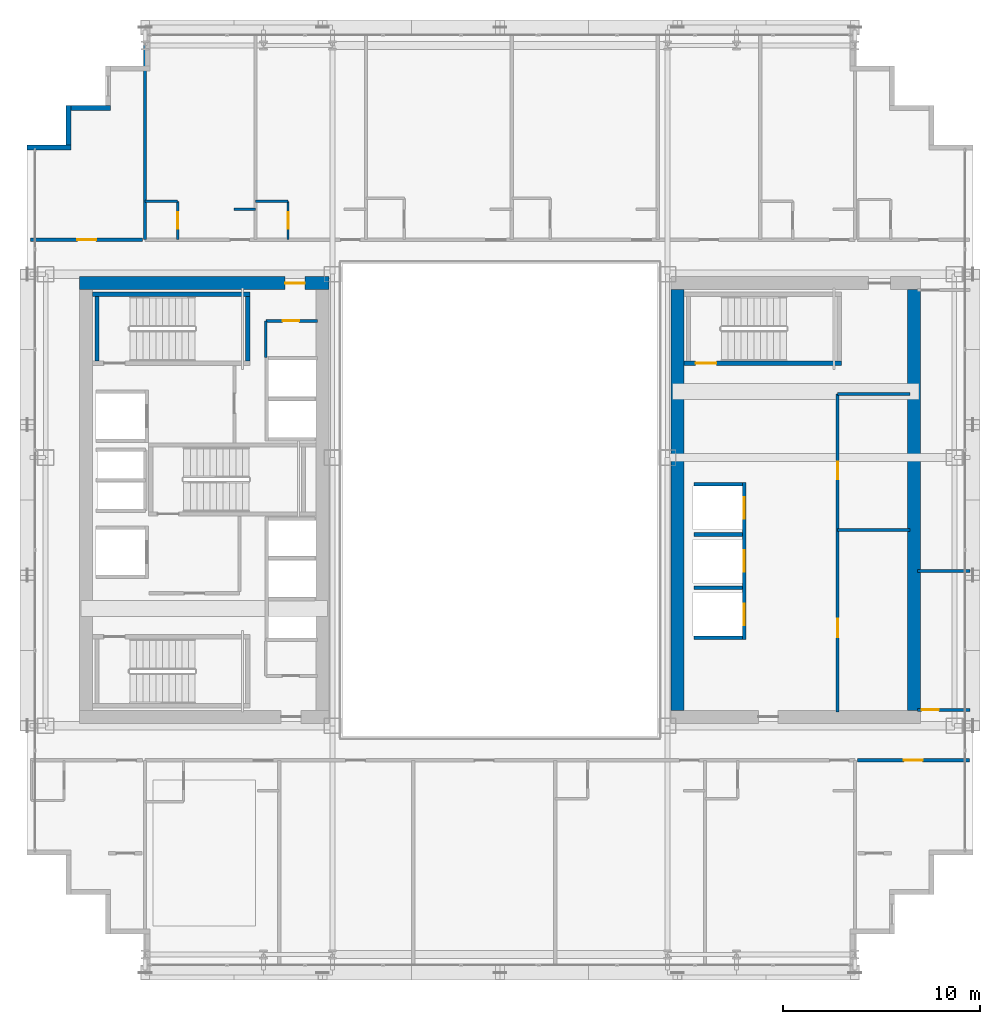
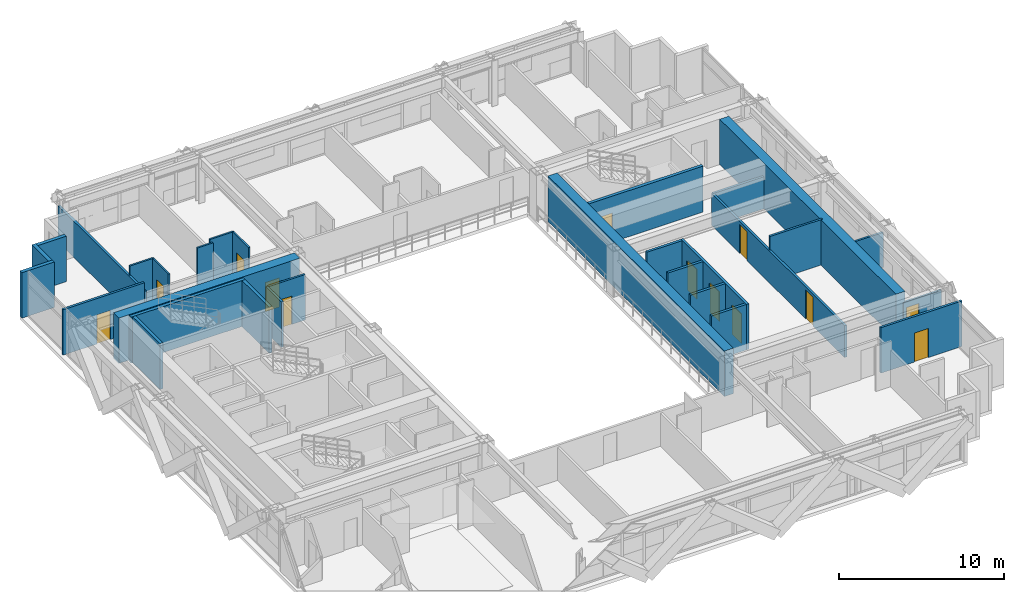
# One storey, part 29 of 35: 30 walls, 13 doors, 13 openings.
"""IFC4 building model written with IfcOpenShell, lengths in metres."""

from ifc_helpers import new_model, si_unit, direction, frame, frame_2d, origin, place, context, subcontext, project, spatial, rectangle, extrude, source, transform, mapped, material, layer, layer_set, type_object, element, fill, save


model = new_model("IFC4")

# Units and contexts
model_context = context("Model", 3, precision=1e-05, world=origin(), true_north=direction((0.0, 1.0)))
body_context = subcontext(model_context, "Body", "Model", "MODEL_VIEW")
ifc_project = project(units=[si_unit("LENGTHUNIT", "METRE"), si_unit("AREAUNIT", "SQUARE_METRE"), si_unit("VOLUMEUNIT", "CUBIC_METRE"), si_unit("PLANEANGLEUNIT", "RADIAN"), si_unit("MASSUNIT", "GRAM", prefix="KILO")], contexts=[model_context])

# Site, building, storey
site_placement = place(None, origin())
site = spatial("IfcSite", under=ifc_project, at=site_placement, CompositionType="ELEMENT")
building_placement = place(site_placement, origin())
building = spatial("IfcBuilding", under=site, at=building_placement, Name="Ocotamira Hotel", CompositionType="ELEMENT")
storey_placement = place(building_placement, frame((0.0, 0.0, 144.0)))
storey = spatial("IfcBuildingStorey", under=building, at=storey_placement, Name="L36", CompositionType="ELEMENT", Elevation=144.0)

# Wall, opening, door
ifc_material_1 = material(Name="Concrete C60/75", Category="concrete")
ifc_layer_1 = layer(ifc_material_1, 0.64990234375)
ifc_layer_set_1 = layer_set([ifc_layer_1], Name="Concrete C60/75")
wall_type_1 = type_object("IfcWallType", Name="WL-CORE-650", PredefinedType="SHEAR", material=ifc_layer_set_1)
wall_1_placement = place(storey_placement, frame((10.675048828125, 37.0, 0.0), z_axis=(0.0, 0.0, 1.0), x_axis=(1.0, 0.0, 0.0)))
wall_1 = element("IfcWall", 1, at=wall_1_placement, inside=storey, type_object=wall_type_1, Name="L36 Shear Core Wall WCORE-N", PredefinedType="SHEAR", context=body_context, shape_type="SweptSolid", body=[
    extrude(rectangle(XDim=12.64990234375, YDim=0.64990234375, at=frame_2d((6.324951171875, 0.0))), origin(), (0.0, 0.0, 1.0), 3.360107421875),
])
opening_1_placement = place(wall_1_placement, frame((10.425048828125, 0.0, 0.0)))
opening_1 = element("IfcOpeningElement", 2, at=opening_1_placement, cuts=wall_1, Name="Opening D-FR2", PredefinedType="OPENING", context=body_context, shape_type="SweptSolid", body=[
    extrude(rectangle(XDim=1.0, YDim=2.14990234375, at=frame_2d((0.5, 1.074951171875))), frame((0.0, 0.3349609375, 0.0), z_axis=(0.0, -1.0, 0.0), x_axis=(1.0, 0.0, 0.0)), (0.0, 0.0, 1.0), 0.669921875),
])
ifc_material_2 = material(Name="Fire-rated acoustic timber-veneer door", Category="wood")
door_type_1 = type_object("IfcDoorType", Name="DR-FIRE-1000", OperationType="NOTDEFINED", PredefinedType="DOOR", material=ifc_material_2)
shared_shape_1 = source(origin(), body_context, "Body", "SweptSolid", [
    extrude(rectangle(XDim=1.0, YDim=2.14990234375, at=frame_2d((0.5, 1.074951171875))), frame((0.0, 0.02490234375, 0.0), z_axis=(0.0, -1.0, 0.0), x_axis=(1.0, 0.0, 0.0)), (0.0, 0.0, 1.0), 0.050048828125),
])
door_1_placement = place(opening_1_placement, origin())
door_1 = element("IfcDoor", 3, at=door_1_placement, inside=storey, type_object=door_type_1, Name="L36 Door ID-L36-WLOB-N-D [ID-L36-WLOB-N-D]", OperationType="SINGLE_SWING_RIGHT", OverallHeight=2.14990234375, OverallWidth=1.0, PredefinedType="DOOR", context=body_context, shape_type="MappedRepresentation", body=[
    mapped(shared_shape_1, transform((0.0, 0.0, 0.0), scale=1.0)),
])
fill(opening_1, door_1)

# Walls
for number, where, z_axis, x_axis, name in (
    (4, (41.0, 15.324951171875, 0.0), (0.0, 0.0, 1.0), (0.0, 1.0, 0.0), "L36 Shear Core Wall ECORE-W"),
    (5, (53.0, 15.324951171875, 0.0), (0.0, 0.0, 1.0), (0.0, 1.0, 0.0), "L36 Shear Core Wall ECORE-E"),
):
    element("IfcWall", number, at=place(storey_placement, frame(where, z_axis=z_axis, x_axis=x_axis)), inside=storey, type_object=wall_type_1, Name=name, PredefinedType="SHEAR", context=body_context, shape_type="SweptSolid", body=[
        extrude(rectangle(XDim=21.35009765625, YDim=0.64990234375, at=frame_2d((10.675048828125, 0.0))), origin(), (0.0, 0.0, 1.0), 3.360107421875),
    ])
ifc_material_3 = material(Name="Precast concrete C45/55", Category="concrete")
ifc_layer_2 = layer(ifc_material_3, 0.25)
ifc_layer_set_2 = layer_set([ifc_layer_2], Name="Precast concrete C45/55")
wall_type_2 = type_object("IfcWallType", Name="WL-EXT-SER-250", PredefinedType="SOLIDWALL", material=ifc_layer_set_2)
for number, where, z_axis, x_axis, name in (
    (6, (12.25, 45.875, 0.0), (0.0, 0.0, 1.0), (-1.0, 0.0, 0.0), "L36 Serrated Corner Wall 16"),
    (7, (10.125, 46.0, 0.0), (0.0, 0.0, 1.0), (0.0, -1.0, 0.0), "L36 Serrated Corner Wall 17"),
):
    element("IfcWall", number, at=place(storey_placement, frame(where, z_axis=z_axis, x_axis=x_axis)), inside=storey, type_object=wall_type_2, Name=name, PredefinedType="SOLIDWALL", context=body_context, shape_type="SweptSolid", body=[
        extrude(rectangle(XDim=2.0, YDim=0.25, at=frame_2d((1.0, 0.0))), origin(), (0.0, 0.0, 1.0), 3.360107421875),
    ])
wall_2_placement = place(storey_placement, frame((10.25, 43.875, 0.0), z_axis=(0.0, 0.0, 1.0), x_axis=(-1.0, 0.0, 0.0)))
element("IfcWall", 8, at=wall_2_placement, inside=storey, type_object=wall_type_2, Name="L36 Serrated Corner Wall 18", PredefinedType="SOLIDWALL", context=body_context, shape_type="SweptSolid", body=[
    extrude(rectangle(XDim=2.25, YDim=0.25, at=frame_2d((1.125, 0.0))), origin(), (0.0, 0.0, 1.0), 3.360107421875),
])
ifc_material_4 = material(Name="Acoustic double-layer fire gypsum board partition", Category="gypsum")
ifc_layer_3 = layer(ifc_material_4, 0.159912109375)
ifc_layer_set_3 = layer_set([ifc_layer_3], Name="Acoustic double-layer fire gypsum board partition")
wall_type_3 = type_object("IfcWallType", Name="WL-FIRE-160", PredefinedType="PARTITIONING", material=ifc_layer_set_3)
wall_3_placement = place(storey_placement, frame((49.1201171875, 31.3798828125, 0.0), z_axis=(0.0, 0.0, 1.0), x_axis=(1.0, 0.0, 0.0)))
element("IfcWall", 9, at=wall_3_placement, inside=storey, type_object=wall_type_3, Name="L36 Interior Wall PW-L36-EC-FLOW-N", PredefinedType="PARTITIONING", context=body_context, shape_type="SweptSolid", body=[
    extrude(rectangle(XDim=3.679931640625, YDim=0.159912109375, at=frame_2d((1.83984375, 0.0))), origin(), (0.0, 0.0, 1.0), 2.360107421875),
])

# Wall, openings, doors
wall_4_placement = place(storey_placement, frame((49.1201171875, 15.25, 0.0), z_axis=(0.0, 0.0, 1.0), x_axis=(0.0, 1.0, 0.0)))
wall_4 = element("IfcWall", 10, at=wall_4_placement, inside=storey, type_object=wall_type_3, Name="L36 Interior Wall PW-L36-EC-FLOW-W", PredefinedType="PARTITIONING", context=body_context, shape_type="SweptSolid", body=[
    extrude(rectangle(XDim=16.1298828125, YDim=0.159912109375, at=frame_2d((8.06494140625, 0.0))), origin(), (0.0, 0.0, 1.0), 2.360107421875),
])
opening_2_placement = place(wall_4_placement, frame((3.800048828125, 0.0, 0.0)))
opening_2 = element("IfcOpeningElement", 11, at=opening_2_placement, cuts=wall_4, Name="Opening D-SV3", PredefinedType="OPENING", context=body_context, shape_type="SweptSolid", body=[
    extrude(rectangle(XDim=0.919921875, YDim=2.14990234375, at=frame_2d((0.4599609375, 1.074951171875))), frame((0.0, 0.08984375, 0.0), z_axis=(0.0, -1.0, 0.0), x_axis=(1.0, 0.0, 0.0)), (0.0, 0.0, 1.0), 0.179931640625),
])
opening_3_placement = place(wall_4_placement, frame((11.800048828125, 0.0, 0.0)))
opening_3 = element("IfcOpeningElement", 12, at=opening_3_placement, cuts=wall_4, Name="Opening D-IN3", PredefinedType="OPENING", context=body_context, shape_type="SweptSolid", body=[
    extrude(rectangle(XDim=0.89990234375, YDim=2.14990234375, at=frame_2d((0.449951171875, 1.074951171875))), frame((0.0, 0.08984375, 0.0), z_axis=(0.0, -1.0, 0.0), x_axis=(1.0, 0.0, 0.0)), (0.0, 0.0, 1.0), 0.179931640625),
])
ifc_material_5 = material(Name="Painted service room door", Category="steel")
door_type_2 = type_object("IfcDoorType", Name="DR-INT-900", OperationType="NOTDEFINED", PredefinedType="DOOR", material=ifc_material_5)
shared_shape_2 = source(origin(), body_context, "Body", "SweptSolid", [
    extrude(rectangle(XDim=0.89990234375, YDim=2.14990234375, at=frame_2d((0.449951171875, 1.074951171875))), frame((0.0, 0.02490234375, 0.0), z_axis=(0.0, -1.0, 0.0), x_axis=(1.0, 0.0, 0.0)), (0.0, 0.0, 1.0), 0.050048828125),
])
door_2_placement = place(opening_3_placement, origin())
door_2 = element("IfcDoor", 13, at=door_2_placement, inside=storey, type_object=door_type_2, Name="L36 Door ID-L36-EC-FLOW-DB [ID-L36-EC-FLOW-DB]", OperationType="SINGLE_SWING_RIGHT", OverallHeight=2.14990234375, OverallWidth=0.89990234375, PredefinedType="DOOR", context=body_context, shape_type="MappedRepresentation", body=[
    mapped(shared_shape_2, transform((0.0, 0.0, 0.0), scale=1.0)),
])
fill(opening_3, door_2)
ifc_material_6 = material(Name="Fire-rated walnut hospitality door", Category="wood")
door_type_3 = type_object("IfcDoorType", Name="DR-SERV-920", OperationType="NOTDEFINED", PredefinedType="DOOR", material=ifc_material_6)
shared_shape_3 = source(origin(), body_context, "Body", "SweptSolid", [
    extrude(rectangle(XDim=0.919921875, YDim=2.14990234375, at=frame_2d((0.4599609375, 1.074951171875))), frame((0.0, 0.02490234375, 0.0), z_axis=(0.0, -1.0, 0.0), x_axis=(1.0, 0.0, 0.0)), (0.0, 0.0, 1.0), 0.050048828125),
])
door_3_placement = place(opening_2_placement, origin())
door_3 = element("IfcDoor", 14, at=door_3_placement, inside=storey, type_object=door_type_3, Name="L36 Door ID-L36-EC-FLOW-DA [ID-L36-EC-FLOW-DA]", OperationType="SINGLE_SWING_LEFT", OverallHeight=2.14990234375, OverallWidth=0.919921875, PredefinedType="DOOR", context=body_context, shape_type="MappedRepresentation", body=[
    mapped(shared_shape_3, transform((0.0, 0.0, 0.0), scale=1.0)),
])
fill(opening_2, door_3)

# Wall, opening, door
wall_5_placement = place(storey_placement, frame((50.1201171875, 12.800048828125, 0.0), z_axis=(0.0, 0.0, 1.0), x_axis=(1.0, 0.0, 0.0)))
wall_5 = element("IfcWall", 15, at=wall_5_placement, inside=storey, type_object=wall_type_3, Name="L36 Interior Wall PW-L36-Z2E-CSE-CW", PredefinedType="PARTITIONING", context=body_context, shape_type="SweptSolid", body=[
    extrude(rectangle(XDim=5.679931640625, YDim=0.159912109375, at=frame_2d((2.83984375, 0.0))), origin(), (0.0, 0.0, 1.0), 3.360107421875),
])
opening_4_placement = place(wall_5_placement, frame((2.360107421875, 0.0, 0.0)))
opening_4 = element("IfcOpeningElement", 16, at=opening_4_placement, cuts=wall_5, Name="Opening D-SV4", PredefinedType="OPENING", context=body_context, shape_type="SweptSolid", body=[
    extrude(rectangle(XDim=0.9599609375, YDim=2.14990234375, at=frame_2d((0.47998046875, 1.074951171875))), frame((0.0, 0.08984375, 0.0), z_axis=(0.0, -1.0, 0.0), x_axis=(1.0, 0.0, 0.0)), (0.0, 0.0, 1.0), 0.179931640625),
])
ifc_material_7 = material(Name="Fire-rated accessible walnut salon door", Category="wood")
door_type_4 = type_object("IfcDoorType", Name="DR-SERV-960", OperationType="NOTDEFINED", PredefinedType="DOOR", material=ifc_material_7)
shared_shape_4 = source(origin(), body_context, "Body", "SweptSolid", [
    extrude(rectangle(XDim=0.9599609375, YDim=2.14990234375, at=frame_2d((0.47998046875, 1.074951171875))), frame((0.0, 0.02490234375, 0.0), z_axis=(0.0, -1.0, 0.0), x_axis=(1.0, 0.0, 0.0)), (0.0, 0.0, 1.0), 0.050048828125),
])
door_4_placement = place(opening_4_placement, origin())
door_4 = element("IfcDoor", 17, at=door_4_placement, inside=storey, type_object=door_type_4, Name="L36 Door ID-L36-Z2E-CSE-CD [ID-L36-Z2E-CSE-CD]", OperationType="SINGLE_SWING_LEFT", OverallHeight=2.14990234375, OverallWidth=0.9599609375, PredefinedType="DOOR", context=body_context, shape_type="MappedRepresentation", body=[
    mapped(shared_shape_4, transform((0.0, 0.0, 0.0), scale=1.0)),
])
fill(opening_4, door_4)

wall_6_placement = place(storey_placement, frame((8.199951171875, 39.199951171875, 0.0), z_axis=(0.0, 0.0, 1.0), x_axis=(1.0, 0.0, 0.0)))
wall_6 = element("IfcWall", 18, at=wall_6_placement, inside=storey, type_object=wall_type_3, Name="L36 Interior Wall PW-L36-Z2E-CNW-CW", PredefinedType="PARTITIONING", context=body_context, shape_type="SweptSolid", body=[
    extrude(rectangle(XDim=5.679931640625, YDim=0.159912109375, at=frame_2d((2.83984375, 0.0))), origin(), (0.0, 0.0, 1.0), 3.360107421875),
])
opening_5_placement = place(wall_6_placement, frame((2.360107421875, 0.0, 0.0)))
opening_5 = element("IfcOpeningElement", 19, at=opening_5_placement, cuts=wall_6, Name="Opening D-SV4", PredefinedType="OPENING", context=body_context, shape_type="SweptSolid", body=[
    extrude(rectangle(XDim=0.9599609375, YDim=2.14990234375, at=frame_2d((0.47998046875, 1.074951171875))), frame((0.0, 0.08984375, 0.0), z_axis=(0.0, -1.0, 0.0), x_axis=(1.0, 0.0, 0.0)), (0.0, 0.0, 1.0), 0.179931640625),
])
door_5_placement = place(opening_5_placement, origin())
door_5 = element("IfcDoor", 20, at=door_5_placement, inside=storey, type_object=door_type_4, Name="L36 Door ID-L36-Z2E-CNW-CD [ID-L36-Z2E-CNW-CD]", OperationType="SINGLE_SWING_LEFT", OverallHeight=2.14990234375, OverallWidth=0.9599609375, PredefinedType="DOOR", context=body_context, shape_type="MappedRepresentation", body=[
    mapped(shared_shape_4, transform((0.0, 0.0, 0.0), scale=1.0)),
])
fill(opening_5, door_5)

ifc_material_8 = material(Name="Moisture-resistant en-suite tile and gypsum partition", Category="gypsum")
ifc_layer_4 = layer(ifc_material_8, 0.1201171875)
ifc_layer_set_4 = layer_set([ifc_layer_4], Name="Moisture-resistant en-suite tile and gypsum partition")
wall_type_4 = type_object("IfcWallType", Name="WL-PART-120", PredefinedType="PARTITIONING", material=ifc_layer_set_4)
wall_7_placement = place(storey_placement, frame((15.64990234375, 39.199951171875, 0.0), z_axis=(0.0, 0.0, 1.0), x_axis=(0.0, 1.0, 0.0)))
wall_7 = element("IfcWall", 21, at=wall_7_placement, inside=storey, type_object=wall_type_4, Name="L36 Interior Wall PW-L36-Z2EN-BAE1", PredefinedType="PARTITIONING", context=body_context, shape_type="SweptSolid", body=[
    extrude(rectangle(XDim=1.949951171875, YDim=0.1201171875, at=frame_2d((0.97509765625, 0.0))), origin(), (0.0, 0.0, 1.0), 3.360107421875),
])
opening_6_placement = place(wall_7_placement, frame((0.544921875, 0.0, 0.0)))
opening_6 = element("IfcOpeningElement", 22, at=opening_6_placement, cuts=wall_7, Name="Opening D-BA1", PredefinedType="OPENING", context=body_context, shape_type="SweptSolid", body=[
    extrude(rectangle(XDim=0.860107421875, YDim=2.10009765625, at=frame_2d((0.43017578125, 1.050048828125))), frame((0.0, 0.070068359375, 0.0), z_axis=(0.0, -1.0, 0.0), x_axis=(1.0, 0.0, 0.0)), (0.0, 0.0, 1.0), 0.14013671875),
])
ifc_material_9 = material(Name="Moisture-sealed en-suite timber door", Category="wood")
door_type_5 = type_object("IfcDoorType", Name="DR-BATH-860", OperationType="NOTDEFINED", PredefinedType="DOOR", material=ifc_material_9)
shared_shape_5 = source(origin(), body_context, "Body", "SweptSolid", [
    extrude(rectangle(XDim=0.860107421875, YDim=2.10009765625, at=frame_2d((0.43017578125, 1.050048828125))), frame((0.0, 0.02490234375, 0.0), z_axis=(0.0, -1.0, 0.0), x_axis=(1.0, 0.0, 0.0)), (0.0, 0.0, 1.0), 0.050048828125),
])
door_6_placement = place(opening_6_placement, origin())
door_6 = element("IfcDoor", 23, at=door_6_placement, inside=storey, type_object=door_type_5, Name="L36 Door ID-L36-Z2EN-BAD1 [ID-L36-Z2EN-BAD1]", OperationType="SINGLE_SWING_RIGHT", OverallHeight=2.10009765625, OverallWidth=0.860107421875, PredefinedType="DOOR", context=body_context, shape_type="MappedRepresentation", body=[
    mapped(shared_shape_5, transform((0.0, 0.0, 0.0), scale=1.0)),
])
fill(opening_6, door_6)

# Walls
wall_8_placement = place(storey_placement, frame((14.0, 41.14990234375, 0.0), z_axis=(0.0, 0.0, 1.0), x_axis=(1.0, 0.0, 0.0)))
element("IfcWall", 24, at=wall_8_placement, inside=storey, type_object=wall_type_4, Name="L36 Interior Wall PW-L36-Z2EN-BAN1", PredefinedType="PARTITIONING", context=body_context, shape_type="SweptSolid", body=[
    extrude(rectangle(XDim=1.64990234375, YDim=0.1201171875, at=frame_2d((0.824951171875, 0.0))), origin(), (0.0, 0.0, 1.0), 3.360107421875),
])
wall_9_placement = place(storey_placement, frame((18.5, 40.75, 0.0), z_axis=(0.0, 0.0, 1.0), x_axis=(1.0, 0.0, 0.0)))
element("IfcWall", 25, at=wall_9_placement, inside=storey, type_object=wall_type_4, Name="L36 Interior Wall PW-L36-Z2EN-DRN1", PredefinedType="PARTITIONING", context=body_context, shape_type="SweptSolid", body=[
    extrude(rectangle(XDim=1.10009765625, YDim=0.1201171875, at=frame_2d((0.550048828125, 0.0))), origin(), (0.0, 0.0, 1.0), 3.360107421875),
])

# Wall, opening, door
wall_10_placement = place(storey_placement, frame((21.25, 39.199951171875, 0.0), z_axis=(0.0, 0.0, 1.0), x_axis=(0.0, 1.0, 0.0)))
wall_10 = element("IfcWall", 26, at=wall_10_placement, inside=storey, type_object=wall_type_4, Name="L36 Interior Wall PW-L36-Z2EN-BAE2", PredefinedType="PARTITIONING", context=body_context, shape_type="SweptSolid", body=[
    extrude(rectangle(XDim=1.949951171875, YDim=0.1201171875, at=frame_2d((0.97509765625, 0.0))), origin(), (0.0, 0.0, 1.0), 3.360107421875),
])
opening_7_placement = place(wall_10_placement, frame((0.544921875, 0.0, 0.0)))
opening_7 = element("IfcOpeningElement", 27, at=opening_7_placement, cuts=wall_10, Name="Opening D-BA1", PredefinedType="OPENING", context=body_context, shape_type="SweptSolid", body=[
    extrude(rectangle(XDim=0.860107421875, YDim=2.10009765625, at=frame_2d((0.43017578125, 1.050048828125))), frame((0.0, 0.070068359375, 0.0), z_axis=(0.0, -1.0, 0.0), x_axis=(1.0, 0.0, 0.0)), (0.0, 0.0, 1.0), 0.14013671875),
])
door_7_placement = place(opening_7_placement, origin())
door_7 = element("IfcDoor", 28, at=door_7_placement, inside=storey, type_object=door_type_5, Name="L36 Door ID-L36-Z2EN-BAD2 [ID-L36-Z2EN-BAD2]", OperationType="SINGLE_SWING_LEFT", OverallHeight=2.10009765625, OverallWidth=0.860107421875, PredefinedType="DOOR", context=body_context, shape_type="MappedRepresentation", body=[
    mapped(shared_shape_5, transform((0.0, 0.0, 0.0), scale=1.0)),
])
fill(opening_7, door_7)

# Walls
wall_11_placement = place(storey_placement, frame((19.60009765625, 41.14990234375, 0.0), z_axis=(0.0, 0.0, 1.0), x_axis=(1.0, 0.0, 0.0)))
element("IfcWall", 29, at=wall_11_placement, inside=storey, type_object=wall_type_4, Name="L36 Interior Wall PW-L36-Z2EN-BAN2", PredefinedType="PARTITIONING", context=body_context, shape_type="SweptSolid", body=[
    extrude(rectangle(XDim=1.64990234375, YDim=0.1201171875, at=frame_2d((0.824951171875, 0.0))), origin(), (0.0, 0.0, 1.0), 3.360107421875),
])
ifc_material_10 = material(Name="Acoustic hospitality gypsum board partition", Category="gypsum")
ifc_layer_5 = layer(ifc_material_10, 0.14208984375)
ifc_layer_set_5 = layer_set([ifc_layer_5], Name="Acoustic hospitality gypsum board partition")
wall_type_5 = type_object("IfcWallType", Name="WL-PART-142", PredefinedType="PARTITIONING", material=ifc_layer_set_5)
wall_12_placement = place(storey_placement, frame((20.1201171875, 33.219970703125, 0.0), z_axis=(0.0, 0.0, 1.0), x_axis=(0.0, 1.0, 0.0)))
element("IfcWall", 30, at=wall_12_placement, inside=storey, type_object=wall_type_5, Name="L36 Interior Wall PW-L36-WC-NE-W2", PredefinedType="PARTITIONING", context=body_context, shape_type="SweptSolid", body=[
    extrude(rectangle(XDim=1.860107421875, YDim=0.14208984375, at=frame_2d((0.93017578125, 0.0))), origin(), (0.0, 0.0, 1.0), 3.360107421875),
])

# Wall, opening, door
wall_13_placement = place(storey_placement, frame((20.1201171875, 35.080078125, 0.0), z_axis=(0.0, 0.0, 1.0), x_axis=(1.0, 0.0, 0.0)))
wall_13 = element("IfcWall", 31, at=wall_13_placement, inside=storey, type_object=wall_type_5, Name="L36 Interior Wall PW-L36-WC-NE-N2", PredefinedType="PARTITIONING", context=body_context, shape_type="SweptSolid", body=[
    extrude(rectangle(XDim=2.6298828125, YDim=0.14208984375, at=frame_2d((1.31494140625, 0.0))), origin(), (0.0, 0.0, 1.0), 3.360107421875),
])
opening_8_placement = place(wall_13_placement, frame((0.85009765625, 0.0, 0.0)))
opening_8 = element("IfcOpeningElement", 32, at=opening_8_placement, cuts=wall_13, Name="Opening D-SV1", PredefinedType="OPENING", context=body_context, shape_type="SweptSolid", body=[
    extrude(rectangle(XDim=0.840087890625, YDim=2.10009765625, at=frame_2d((0.419921875, 1.050048828125))), frame((0.0, 0.0810546875, 0.0), z_axis=(0.0, -1.0, 0.0), x_axis=(1.0, 0.0, 0.0)), (0.0, 0.0, 1.0), 0.162109375),
])
ifc_material_11 = material(Name="Fire-rated painted steel service door", Category="steel")
door_type_6 = type_object("IfcDoorType", Name="DR-SERV-840", OperationType="NOTDEFINED", PredefinedType="DOOR", material=ifc_material_11)
shared_shape_6 = source(origin(), body_context, "Body", "SweptSolid", [
    extrude(rectangle(XDim=0.840087890625, YDim=2.10009765625, at=frame_2d((0.419921875, 1.050048828125))), frame((0.0, 0.02490234375, 0.0), z_axis=(0.0, -1.0, 0.0), x_axis=(1.0, 0.0, 0.0)), (0.0, 0.0, 1.0), 0.050048828125),
])
door_8_placement = place(opening_8_placement, origin())
door_8 = element("IfcDoor", 33, at=door_8_placement, inside=storey, type_object=door_type_6, Name="L36 Door ID-L36-WC-NE-D2 [ID-L36-WC-NE-D2]", OperationType="SINGLE_SWING_RIGHT", OverallHeight=2.10009765625, OverallWidth=0.840087890625, PredefinedType="DOOR", context=body_context, shape_type="MappedRepresentation", body=[
    mapped(shared_shape_6, transform((0.0, 0.0, 0.0), scale=1.0)),
])
fill(opening_8, door_8)

# Walls
wall_14_placement = place(storey_placement, frame((53.179931640625, 22.39990234375, 0.0), z_axis=(0.0, 0.0, 1.0), x_axis=(1.0, 0.0, 0.0)))
element("IfcWall", 34, at=wall_14_placement, inside=storey, type_object=wall_type_5, Name="L36 Interior Wall PW-L36-Z2E-EF-DV1", PredefinedType="PARTITIONING", context=body_context, shape_type="SweptSolid", body=[
    extrude(rectangle(XDim=2.66015625, YDim=0.14208984375, at=frame_2d((1.330078125, 0.0))), origin(), (0.0, 0.0, 1.0), 2.5810546875),
])
ifc_layer_6 = layer(ifc_material_10, 0.14990234375)
ifc_layer_set_6 = layer_set([ifc_layer_6], Name="Acoustic hospitality gypsum board partition")
wall_type_6 = type_object("IfcWallType", Name="WL-PART-150", PredefinedType="PARTITIONING", material=ifc_layer_set_6)
wall_15_placement = place(storey_placement, frame((49.1201171875, 24.489990234375, 0.0), z_axis=(0.0, 0.0, 1.0), x_axis=(1.0, 0.0, 0.0)))
element("IfcWall", 35, at=wall_15_placement, inside=storey, type_object=wall_type_6, Name="L36 Interior Wall PW-L36-EC-FDIVA", PredefinedType="PARTITIONING", context=body_context, shape_type="SweptSolid", body=[
    extrude(rectangle(XDim=3.679931640625, YDim=0.14990234375, at=frame_2d((1.83984375, 0.0))), origin(), (0.0, 0.0, 1.0), 3.360107421875),
])

# Wall, opening, door
wall_16_placement = place(storey_placement, frame((53.179931640625, 15.360107421875, 0.0), z_axis=(0.0, 0.0, 1.0), x_axis=(1.0, 0.0, 0.0)))
wall_16 = element("IfcWall", 36, at=wall_16_placement, inside=storey, type_object=wall_type_6, Name="L36 Interior Wall PW-L36-Z2E-EF-WS", PredefinedType="PARTITIONING", context=body_context, shape_type="SweptSolid", body=[
    extrude(rectangle(XDim=2.66015625, YDim=0.14990234375, at=frame_2d((1.330078125, 0.0))), origin(), (0.0, 0.0, 1.0), 2.5810546875),
])
opening_9_placement = place(wall_16_placement, frame((0.199951171875, 0.0, 0.0)))
opening_9 = element("IfcOpeningElement", 37, at=opening_9_placement, cuts=wall_16, Name="Opening D-SV2", PredefinedType="OPENING", context=body_context, shape_type="SweptSolid", body=[
    extrude(rectangle(XDim=0.8798828125, YDim=2.14990234375, at=frame_2d((0.43994140625, 1.074951171875))), frame((0.0, 0.0849609375, 0.0), z_axis=(0.0, -1.0, 0.0), x_axis=(1.0, 0.0, 0.0)), (0.0, 0.0, 1.0), 0.169921875),
])
door_type_7 = type_object("IfcDoorType", Name="DR-SERV-880", OperationType="NOTDEFINED", PredefinedType="DOOR", material=ifc_material_11)
shared_shape_7 = source(origin(), body_context, "Body", "SweptSolid", [
    extrude(rectangle(XDim=0.8798828125, YDim=2.14990234375, at=frame_2d((0.43994140625, 1.074951171875))), frame((0.0, 0.02490234375, 0.0), z_axis=(0.0, -1.0, 0.0), x_axis=(1.0, 0.0, 0.0)), (0.0, 0.0, 1.0), 0.050048828125),
])
door_9_placement = place(opening_9_placement, origin())
door_9 = element("IfcDoor", 38, at=door_9_placement, inside=storey, type_object=door_type_7, Name="L36 Door ID-L36-Z2E-EF-DS [ID-L36-Z2E-EF-DS]", OperationType="SINGLE_SWING_RIGHT", OverallHeight=2.14990234375, OverallWidth=0.8798828125, PredefinedType="DOOR", context=body_context, shape_type="MappedRepresentation", body=[
    mapped(shared_shape_7, transform((0.0, 0.0, 0.0), scale=1.0)),
])
fill(opening_9, door_9)

# Wall
ifc_material_12 = material(Name="Acoustic double-stud hospitality gypsum partition", Category="gypsum")
ifc_layer_7 = layer(ifc_material_12, 0.159912109375)
ifc_layer_set_7 = layer_set([ifc_layer_7], Name="Acoustic double-stud hospitality gypsum partition")
wall_type_7 = type_object("IfcWallType", Name="WL-PART-160", PredefinedType="PARTITIONING", material=ifc_layer_set_7)
wall_17_placement = place(storey_placement, frame((14.0, 39.199951171875, 0.0), z_axis=(0.0, 0.0, 1.0), x_axis=(0.0, 1.0, 0.0)))
element("IfcWall", 39, at=wall_17_placement, inside=storey, type_object=wall_type_7, Name="L36 Interior Wall PW-L36-Z2EN-PW0", PredefinedType="PARTITIONING", context=body_context, shape_type="SweptSolid", body=[
    extrude(rectangle(XDim=10.43994140625, YDim=0.159912109375, at=frame_2d((5.219970703125, 0.0))), origin(), (0.0, 0.0, 1.0), 2.6669921875),
])

# Wall, openings, doors
ifc_material_13 = material(Name="Fire-rated gypsum shaftliner board assembly", Category="gypsum")
ifc_layer_8 = layer(ifc_material_13, 0.179931640625)
ifc_layer_set_8 = layer_set([ifc_layer_8], Name="Fire-rated gypsum shaftliner board assembly")
wall_type_8 = type_object("IfcWallType", Name="WL-SHAFT-180", PredefinedType="SOLIDWALL", material=ifc_layer_set_8)
wall_18_placement = place(storey_placement, frame((44.389892578125, 18.919921875, 0.0), z_axis=(0.0, 0.0, 1.0), x_axis=(0.0, 1.0, 0.0)))
wall_18 = element("IfcWall", 40, at=wall_18_placement, inside=storey, type_object=wall_type_8, Name="L36 Interior Wall PW-L36-LFW-BANK-mid-F", PredefinedType="SOLIDWALL", context=body_context, shape_type="SweptSolid", body=[
    extrude(rectangle(XDim=7.9599609375, YDim=0.179931640625, at=frame_2d((3.97998046875, 0.0))), origin(), (0.0, 0.0, 1.0), 3.360107421875),
])
opening_10_placement = place(wall_18_placement, frame((0.72998046875, 0.0, 0.0)))
opening_10 = element("IfcOpeningElement", 41, at=opening_10_placement, cuts=wall_18, Name="Opening LD-LF-P4", PredefinedType="OPENING", context=body_context, shape_type="SweptSolid", body=[
    extrude(rectangle(XDim=1.10009765625, YDim=2.199951171875, at=frame_2d((0.550048828125, 1.10009765625))), frame((0.0, 0.10009765625, 0.0), z_axis=(0.0, -1.0, 0.0), x_axis=(1.0, 0.0, 0.0)), (0.0, 0.0, 1.0), 0.199951171875),
])
opening_11_placement = place(wall_18_placement, frame((3.429931640625, 0.0, 0.0)))
opening_11 = element("IfcOpeningElement", 42, at=opening_11_placement, cuts=wall_18, Name="Opening LD-LF-P5", PredefinedType="OPENING", context=body_context, shape_type="SweptSolid", body=[
    extrude(rectangle(XDim=1.10009765625, YDim=2.199951171875, at=frame_2d((0.550048828125, 1.10009765625))), frame((0.0, 0.10009765625, 0.0), z_axis=(0.0, -1.0, 0.0), x_axis=(1.0, 0.0, 0.0)), (0.0, 0.0, 1.0), 0.199951171875),
])
opening_12_placement = place(wall_18_placement, frame((6.1298828125, 0.0, 0.0)))
opening_12 = element("IfcOpeningElement", 43, at=opening_12_placement, cuts=wall_18, Name="Opening LD-LF-P6", PredefinedType="OPENING", context=body_context, shape_type="SweptSolid", body=[
    extrude(rectangle(XDim=1.10009765625, YDim=2.199951171875, at=frame_2d((0.550048828125, 1.10009765625))), frame((0.0, 0.10009765625, 0.0), z_axis=(0.0, -1.0, 0.0), x_axis=(1.0, 0.0, 0.0)), (0.0, 0.0, 1.0), 0.199951171875),
])
ifc_material_14 = material(Name="Brushed pale-metal stainless elevator landing door", Category="steel")
door_type_8 = type_object("IfcDoorType", Name="DR-LIFT-1100", OperationType="NOTDEFINED", PredefinedType="DOOR", material=ifc_material_14)
shared_shape_8 = source(origin(), body_context, "Body", "SweptSolid", [
    extrude(rectangle(XDim=1.10009765625, YDim=2.199951171875, at=frame_2d((0.550048828125, 1.10009765625))), frame((0.0, 0.02490234375, 0.0), z_axis=(0.0, -1.0, 0.0), x_axis=(1.0, 0.0, 0.0)), (0.0, 0.0, 1.0), 0.050048828125),
])
door_10_placement = place(opening_10_placement, origin())
door_10 = element("IfcDoor", 44, at=door_10_placement, inside=storey, type_object=door_type_8, Name="L36 Landing Door LD-LF-P4 [ID-L36-LD-LF-P4]", OperationType="DOUBLE_DOOR_SLIDING", OverallHeight=2.199951171875, OverallWidth=1.10009765625, PredefinedType="DOOR", context=body_context, shape_type="MappedRepresentation", body=[
    mapped(shared_shape_8, transform((0.0, 0.0, 0.0), scale=1.0)),
])
fill(opening_10, door_10)
door_11_placement = place(opening_11_placement, origin())
door_11 = element("IfcDoor", 45, at=door_11_placement, inside=storey, type_object=door_type_8, Name="L36 Landing Door LD-LF-P5 [ID-L36-LD-LF-P5]", OperationType="DOUBLE_DOOR_SLIDING", OverallHeight=2.199951171875, OverallWidth=1.10009765625, PredefinedType="DOOR", context=body_context, shape_type="MappedRepresentation", body=[
    mapped(shared_shape_8, transform((0.0, 0.0, 0.0), scale=1.0)),
])
fill(opening_11, door_11)
door_12_placement = place(opening_12_placement, origin())
door_12 = element("IfcDoor", 46, at=door_12_placement, inside=storey, type_object=door_type_8, Name="L36 Landing Door LD-LF-P6 [ID-L36-LD-LF-P6]", OperationType="DOUBLE_DOOR_SLIDING", OverallHeight=2.199951171875, OverallWidth=1.10009765625, PredefinedType="DOOR", context=body_context, shape_type="MappedRepresentation", body=[
    mapped(shared_shape_8, transform((0.0, 0.0, 0.0), scale=1.0)),
])
fill(opening_12, door_12)

# Walls
for number, where, z_axis, x_axis, name in (
    (47, (41.85009765625, 19.010009765625, 0.0), (0.0, 0.0, 1.0), (1.0, 0.0, 0.0), "L36 Interior Wall PW-L36-LFW-BANK-mid-S"),
    (48, (41.85009765625, 26.7900390625, 0.0), (0.0, 0.0, 1.0), (1.0, 0.0, 0.0), "L36 Interior Wall PW-L36-LFW-BANK-mid-N"),
    (49, (41.85009765625, 21.550048828125, 0.0), (0.0, 0.0, 1.0), (1.0, 0.0, 0.0), "L36 Interior Wall PW-L36-LFW-DIV-LF-P4"),
    (50, (41.85009765625, 24.25, 0.0), (0.0, 0.0, 1.0), (1.0, 0.0, 0.0), "L36 Interior Wall PW-L36-LFW-DIV-LF-P5"),
):
    element("IfcWall", number, at=place(storey_placement, frame(where, z_axis=z_axis, x_axis=x_axis)), inside=storey, type_object=wall_type_8, Name=name, PredefinedType="SOLIDWALL", context=body_context, shape_type="SweptSolid", body=[
        extrude(rectangle(XDim=2.449951171875, YDim=0.179931640625, at=frame_2d((1.22509765625, 0.0))), origin(), (0.0, 0.0, 1.0), 3.360107421875),
    ])
ifc_material_15 = material(Name="Concrete C50/60", Category="concrete")
ifc_layer_9 = layer(ifc_material_15, 0.219970703125)
ifc_layer_set_9 = layer_set([ifc_layer_9], Name="Concrete C50/60")
wall_type_9 = type_object("IfcWallType", Name="WL-STAIR-220", PredefinedType="SHEAR", material=ifc_layer_set_9)
wall_19_placement = place(storey_placement, frame((11.324951171875, 36.43994140625, 0.0), z_axis=(0.0, 0.0, 1.0), x_axis=(1.0, 0.0, 0.0)))
element("IfcWall", 51, at=wall_19_placement, inside=storey, type_object=wall_type_9, Name="L36 Stair Shaft Structural Wall ST-2-N", PredefinedType="SHEAR", context=body_context, shape_type="SweptSolid", body=[
    extrude(rectangle(XDim=7.985107421875, YDim=0.219970703125, at=frame_2d((3.99267578125, 0.0))), origin(), (0.0, 0.0, 1.0), 3.39990234375),
])
for number, where, z_axis, x_axis, name in (
    (52, (11.56005859375, 33.050048828125, 0.0), (0.0, 0.0, 1.0), (0.0, 1.0, 0.0), "L36 Stair Shaft Structural Wall ST-2-W"),
    (53, (19.199951171875, 33.050048828125, 0.0), (0.0, 0.0, 1.0), (0.0, 1.0, 0.0), "L36 Stair Shaft Structural Wall ST-2-E"),
):
    element("IfcWall", number, at=place(storey_placement, frame(where, z_axis=z_axis, x_axis=x_axis)), inside=storey, type_object=wall_type_9, Name=name, PredefinedType="SHEAR", context=body_context, shape_type="SweptSolid", body=[
        extrude(rectangle(XDim=3.280029296875, YDim=0.219970703125, at=frame_2d((1.64013671875, 0.0))), origin(), (0.0, 0.0, 1.0), 3.39990234375),
    ])

# Wall, opening, door
wall_20_placement = place(storey_placement, frame((41.324951171875, 32.93994140625, 0.0), z_axis=(0.0, 0.0, 1.0), x_axis=(1.0, 0.0, 0.0)))
wall_20 = element("IfcWall", 54, at=wall_20_placement, inside=storey, type_object=wall_type_9, Name="L36 Stair Shaft Structural Wall ST-4-S", PredefinedType="SHEAR", context=body_context, shape_type="SweptSolid", body=[
    extrude(rectangle(XDim=7.985107421875, YDim=0.219970703125, at=frame_2d((3.99267578125, 0.0))), origin(), (0.0, 0.0, 1.0), 3.39990234375),
])
opening_13_placement = place(wall_20_placement, frame((0.594970703125, 0.0, 0.0)))
opening_13 = element("IfcOpeningElement", 55, at=opening_13_placement, cuts=wall_20, Name="Opening D-ST2", PredefinedType="OPENING", context=body_context, shape_type="SweptSolid", body=[
    extrude(rectangle(XDim=1.050048828125, YDim=2.14990234375, at=frame_2d((0.52490234375, 1.074951171875))), frame((0.0, 0.1201171875, 0.0), z_axis=(0.0, -1.0, 0.0), x_axis=(1.0, 0.0, 0.0)), (0.0, 0.0, 1.0), 0.239990234375),
])
ifc_material_16 = material(Name="Insulated painted hollow-metal fire exit door", Category="steel")
door_type_9 = type_object("IfcDoorType", Name="DR-STAIR-1050", OperationType="NOTDEFINED", PredefinedType="DOOR", material=ifc_material_16)
shared_shape_9 = source(origin(), body_context, "Body", "SweptSolid", [
    extrude(rectangle(XDim=1.050048828125, YDim=2.14990234375, at=frame_2d((0.52490234375, 1.074951171875))), frame((0.0, 0.02490234375, 0.0), z_axis=(0.0, -1.0, 0.0), x_axis=(1.0, 0.0, 0.0)), (0.0, 0.0, 1.0), 0.050048828125),
])
door_13_placement = place(opening_13_placement, origin())
door_13 = element("IfcDoor", 56, at=door_13_placement, inside=storey, type_object=door_type_9, Name="L36 Door ID-L36-STD-ST-4 [ID-L36-STD-ST-4]", OperationType="SINGLE_SWING_RIGHT", OverallHeight=2.14990234375, OverallWidth=1.050048828125, PredefinedType="DOOR", context=body_context, shape_type="MappedRepresentation", body=[
    mapped(shared_shape_9, transform((0.0, 0.0, 0.0), scale=1.0)),
])
fill(opening_13, door_13)

save(model, "model.ifc")
